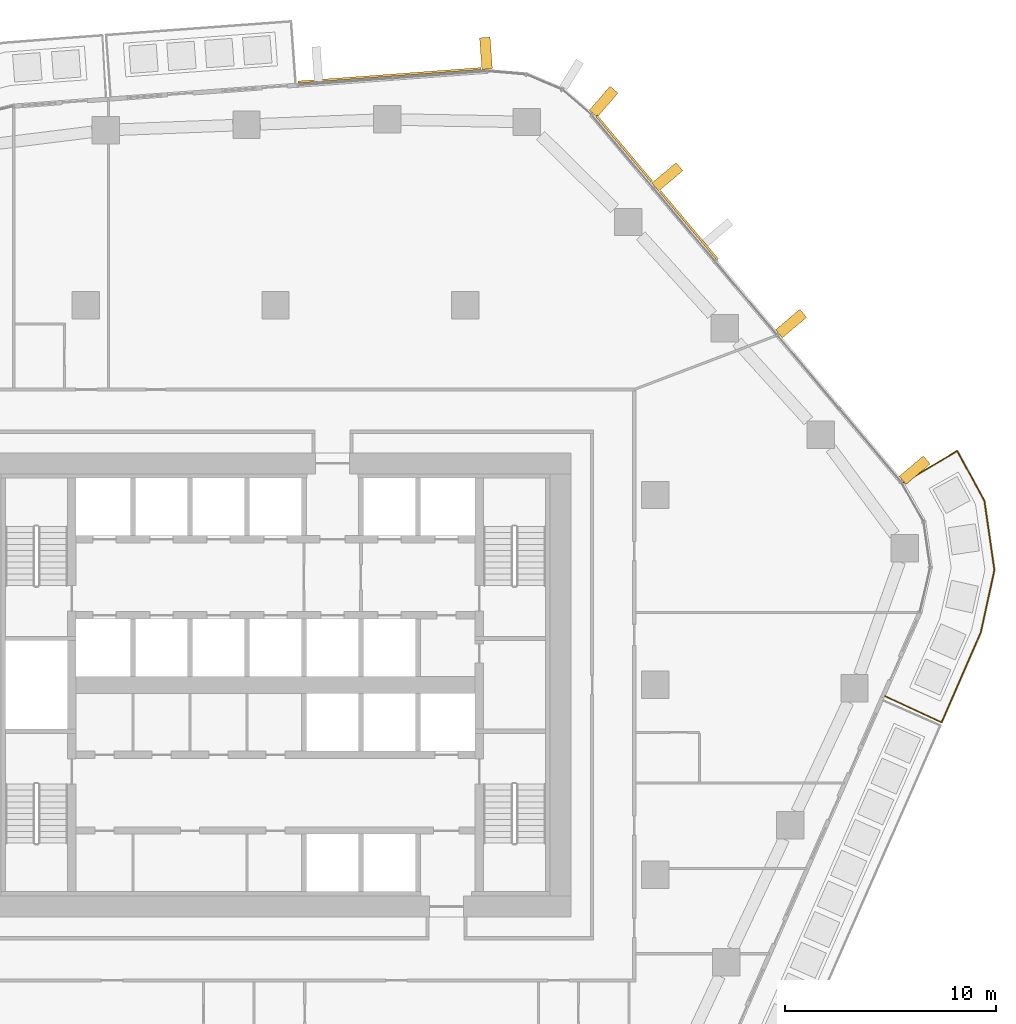
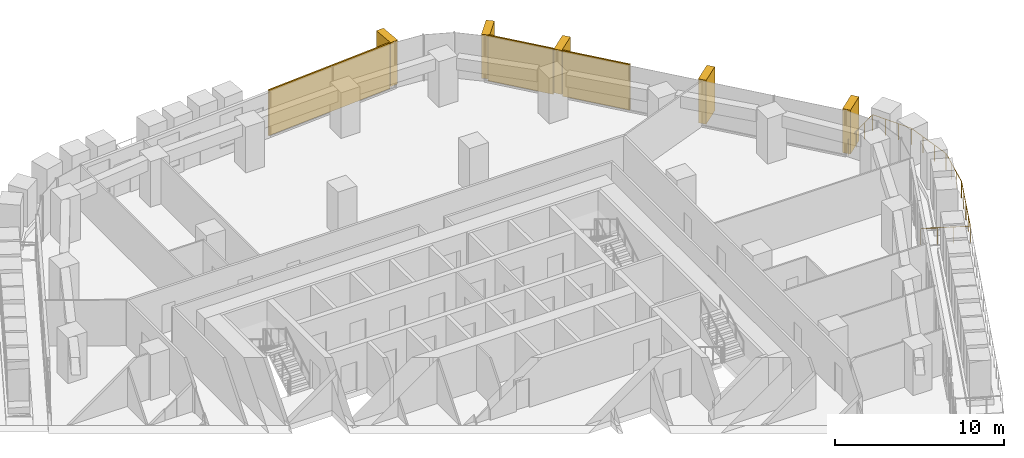
# One storey, part 23 of 23: 8 coverings, 1 railing, 3 elements without a shape of their own.
"""IFC4 building model written with IfcOpenShell, lengths in metres."""

from ifc_helpers import new_model, si_unit, direction, frame, origin, origin_2d, place, context, subcontext, project, spatial, rectangle, circle, extrude, material, layer, layer_set, material_profile, profile_set, type_object, element, aggregate, save


model = new_model("IFC4")

# Units and contexts
model_context = context("Model", 3, precision=1e-05, world=origin(), true_north=direction((0.0, 1.0)))
body_context = subcontext(model_context, "Body", "Model", "MODEL_VIEW")
ifc_project = project(units=[si_unit("LENGTHUNIT", "METRE"), si_unit("AREAUNIT", "SQUARE_METRE"), si_unit("VOLUMEUNIT", "CUBIC_METRE"), si_unit("PLANEANGLEUNIT", "RADIAN"), si_unit("MASSUNIT", "GRAM", prefix="KILO")], contexts=[model_context])

# Site, building, storey
site_placement = place(None, origin())
site = spatial("IfcSite", under=ifc_project, at=site_placement, CompositionType="ELEMENT")
building_placement = place(site_placement, origin())
building = spatial("IfcBuilding", under=site, at=building_placement, Name="Dongbaek Canopy Tower", CompositionType="ELEMENT")
storey_placement = place(building_placement, frame((0.0, 0.0, 132.199951171875)))
storey = spatial("IfcBuildingStorey", under=building, at=storey_placement, Name="L29", CompositionType="ELEMENT", Elevation=132.199951171875)

# Railing
ifc_material_1 = material(Name="Stainless steel", Category="steel")
railing_type = type_object("IfcRailingType", Name="Balcony balustrade 1200", PredefinedType="BALUSTRADE", material=ifc_material_1)
railing_placement = place(storey_placement, frame((28.8955078125, -0.53857421875, 0.0)))
element("IfcRailing", 1, at=railing_placement, inside=storey, type_object=railing_type, Name="Balcony guard L29 5", PredefinedType="BALUSTRADE", context=body_context, shape_type="SweptSolid", body=[
    extrude(circle(Radius=0.02392578125, at=origin_2d()), frame((0.0, 0.0, 1.17578125), z_axis=(0.907160676166, -0.420784395644, 0.0), x_axis=(0.420784395644, 0.907160676166, 0.0)), (0.0, 0.0, 1.0), 2.9404296875),
    extrude(circle(Radius=0.02392578125, at=origin_2d()), frame((2.66748046875, -1.2373046875, 1.17578125), z_axis=(0.399681748589, 0.916653969524, 0.0), x_axis=(-0.916653969524, 0.399681748589, 0.0)), (0.0, 0.0, 1.0), 4.641845703125),
    extrude(circle(Radius=0.02392578125, at=origin_2d()), frame((4.522705078125, 3.017578125, 1.17578125), z_axis=(0.214013832372, 0.976830629922, 0.0), x_axis=(-0.976830629922, 0.214013832372, 0.0)), (0.0, 0.0, 1.0), 3.0322265625),
    extrude(circle(Radius=0.02392578125, at=origin_2d()), frame((5.171630859375, 5.9794921875, 1.17578125), z_axis=(-0.142911676754, 0.989735445787, 0.0), x_axis=(-0.989735445787, -0.142911676754, 0.0)), (0.0, 0.0, 1.0), 3.30224609375),
    extrude(circle(Radius=0.02392578125, at=origin_2d()), frame((4.69970703125, 9.247802734375, 1.17578125), z_axis=(-0.476059650278, 0.879412991363, 0.0), x_axis=(-0.879412991363, -0.476059650278, 0.0)), (0.0, 0.0, 1.0), 2.709716796875),
    extrude(circle(Radius=0.02392578125, at=origin_2d()), frame((3.40966796875, 11.630859375, 1.17578125), z_axis=(-0.86011886379, -0.510093658217, 0.0), x_axis=(0.510093658217, -0.86011886379, 0.0)), (0.0, 0.0, 1.0), 2.940673828125),
    extrude(circle(Radius=0.02099609375, at=origin_2d()), origin(), (0.0, 0.0, 1.0), 1.15185546875),
    extrude(circle(Radius=0.02099609375, at=origin_2d()), frame((0.88916015625, -0.412353515625, 0.0)), (0.0, 0.0, 1.0), 1.15185546875),
    extrude(circle(Radius=0.02099609375, at=origin_2d()), frame((1.7783203125, -0.824951171875, 0.0)), (0.0, 0.0, 1.0), 1.15185546875),
    extrude(circle(Radius=0.02099609375, at=origin_2d()), frame((2.66748046875, -1.2373046875, 0.0)), (0.0, 0.0, 1.0), 1.15185546875),
    extrude(circle(Radius=0.02099609375, at=origin_2d()), frame((3.13134765625, -0.173583984375, 0.0)), (0.0, 0.0, 1.0), 1.15185546875),
    extrude(circle(Radius=0.02099609375, at=origin_2d()), frame((3.59521484375, 0.89013671875, 0.0)), (0.0, 0.0, 1.0), 1.15185546875),
    extrude(circle(Radius=0.02099609375, at=origin_2d()), frame((4.058837890625, 1.953857421875, 0.0)), (0.0, 0.0, 1.0), 1.15185546875),
    extrude(circle(Radius=0.02099609375, at=origin_2d()), frame((4.522705078125, 3.017578125, 0.0)), (0.0, 0.0, 1.0), 1.15185546875),
    extrude(circle(Radius=0.02099609375, at=origin_2d()), frame((4.739013671875, 4.0048828125, 0.0)), (0.0, 0.0, 1.0), 1.15185546875),
    extrude(circle(Radius=0.02099609375, at=origin_2d()), frame((4.955322265625, 4.9921875, 0.0)), (0.0, 0.0, 1.0), 1.15185546875),
    extrude(circle(Radius=0.02099609375, at=origin_2d()), frame((5.171630859375, 5.9794921875, 0.0)), (0.0, 0.0, 1.0), 1.15185546875),
    extrude(circle(Radius=0.02099609375, at=origin_2d()), frame((5.014404296875, 7.06884765625, 0.0)), (0.0, 0.0, 1.0), 1.15185546875),
    extrude(circle(Radius=0.02099609375, at=origin_2d()), frame((4.85693359375, 8.158447265625, 0.0)), (0.0, 0.0, 1.0), 1.15185546875),
    extrude(circle(Radius=0.02099609375, at=origin_2d()), frame((4.69970703125, 9.247802734375, 0.0)), (0.0, 0.0, 1.0), 1.15185546875),
    extrude(circle(Radius=0.02099609375, at=origin_2d()), frame((4.269775390625, 10.042236328125, 0.0)), (0.0, 0.0, 1.0), 1.15185546875),
    extrude(circle(Radius=0.02099609375, at=origin_2d()), frame((3.839599609375, 10.83642578125, 0.0)), (0.0, 0.0, 1.0), 1.15185546875),
    extrude(circle(Radius=0.02099609375, at=origin_2d()), frame((3.40966796875, 11.630859375, 0.0)), (0.0, 0.0, 1.0), 1.15185546875),
    extrude(circle(Radius=0.02099609375, at=origin_2d()), frame((2.566650390625, 11.130859375, 0.0)), (0.0, 0.0, 1.0), 1.15185546875),
    extrude(circle(Radius=0.02099609375, at=origin_2d()), frame((1.723388671875, 10.630859375, 0.0)), (0.0, 0.0, 1.0), 1.15185546875),
    extrude(circle(Radius=0.02099609375, at=origin_2d()), frame((0.88037109375, 10.130859375, 0.0)), (0.0, 0.0, 1.0), 1.15185546875),
])

# Curtain wall, coverings
ifc_material_2 = material(Name="Aluminium 6063-T6 pale anodised", Category="aluminium")
ifc_layer_1 = layer(ifc_material_2, 0.199951171875)
ifc_layer_set_1 = layer_set([ifc_layer_1], Name="CW-1 unitised tower curtain wall")
curtain_wall_type = type_object("IfcCurtainWallType", Name="CW-1 unitised tower curtain wall", PredefinedType="NOTDEFINED", material=ifc_layer_set_1)
curtain_wall_1_placement = place(storey_placement, origin())
curtain_wall_1 = element("IfcCurtainWall", 2, at=curtain_wall_1_placement, inside=storey, type_object=curtain_wall_type, Name="CW-1 curtain wall F0.1", PredefinedType="NOTDEFINED")
ifc_material_3 = material(Name="Perforated aluminium 6063-T6 pale metal screen", Category="aluminium")
ifc_layer_2 = layer(ifc_material_3, 0.10009765625)
ifc_layer_set_2 = layer_set([ifc_layer_2], Name="Facet screen FS1 100 pale metal")
covering_type_1 = type_object("IfcCoveringType", Name="Facet screen FS1 100 pale metal", PredefinedType="CLADDING", material=ifc_layer_set_2)
covering_1_placement = place(storey_placement, frame((19.5869140625, 21.776611328125, 0.0), z_axis=(0.0, 0.0, 1.0), x_axis=(-0.644696181183, 0.764438901396, 0.0)))
covering_1 = element("IfcCovering", 3, at=covering_1_placement, type_object=covering_type_1, Name="Facet screen L29 F0", PredefinedType="CLADDING", context=body_context, shape_type="SweptSolid", body=[
    extrude(rectangle(XDim=4.24169921875, YDim=0.10009765625, at=origin_2d()), origin(), (0.0, 0.0, 1.0), 3.300048828125),
])
covering_2_placement = place(storey_placement, frame((16.52685546875, 25.405029296875, 0.0), z_axis=(0.0, 0.0, 1.0), x_axis=(-0.644696181183, 0.764438901396, 0.0)))
covering_2 = element("IfcCovering", 4, at=covering_2_placement, type_object=covering_type_1, Name="Facet screen L29 F0", PredefinedType="CLADDING", context=body_context, shape_type="SweptSolid", body=[
    extrude(rectangle(XDim=4.091796875, YDim=0.10009765625, at=origin_2d()), origin(), (0.0, 0.0, 1.0), 3.300048828125),
])

# Curtain wall, covering
curtain_wall_2_placement = place(storey_placement, origin())
curtain_wall_2 = element("IfcCurtainWall", 5, at=curtain_wall_2_placement, inside=storey, type_object=curtain_wall_type, Name="CW-1 curtain wall F1.1", PredefinedType="NOTDEFINED")
covering_3_placement = place(storey_placement, frame((5.40478515625, 28.885498046875, 0.0), z_axis=(0.0, 0.0, 1.0), x_axis=(-0.997293858063, -0.073518437616, 0.0)))
covering_3 = element("IfcCovering", 6, at=covering_3_placement, type_object=covering_type_1, Name="Facet screen L29 F1", PredefinedType="CLADDING", context=body_context, shape_type="SweptSolid", body=[
    extrude(rectangle(XDim=8.690185546875, YDim=0.10009765625, at=origin_2d()), origin(), (0.0, 0.0, 1.0), 3.300048828125),
])

# Covering
ifc_material_4 = material(Name="Aluminium 6063-T6 pale metal fin", Category="aluminium")
ifc_material_profile = material_profile(ifc_material_4, rectangle(XDim=1.5, YDim=0.5, at=origin_2d()), Name="Fin FN1 500 x 1500 pale metal")
ifc_profile_set = profile_set([ifc_material_profile], Name="Aluminium 6063-T6 pale metal fin")
covering_type_2 = type_object("IfcCoveringType", Name="Fin FN1 500 x 1500 pale metal", PredefinedType="CLADDING", material=ifc_profile_set)
covering_4_placement = place(storey_placement, frame((30.2890625, 10.1787109375, 0.1201171875), z_axis=(0.0, 0.0, 1.0), x_axis=(0.764439348936, 0.644695650519, 0.0)))
covering_4 = element("IfcCovering", 7, at=covering_4_placement, type_object=covering_type_2, Name="Fin F0.1.1", PredefinedType="CLADDING", context=body_context, shape_type="SweptSolid", body=[
    extrude(rectangle(XDim=1.5, YDim=0.5, at=origin_2d()), origin(), (0.0, 0.0, 1.0), 3.179931640625),
])

covering_5_placement = place(storey_placement, frame((24.432861328125, 17.12255859375, 0.1201171875), z_axis=(0.0, 0.0, 1.0), x_axis=(0.764439348936, 0.644695650519, 0.0)))
covering_5 = element("IfcCovering", 8, at=covering_5_placement, type_object=covering_type_2, Name="Fin F0.1.3", PredefinedType="CLADDING", context=body_context, shape_type="SweptSolid", body=[
    extrude(rectangle(XDim=1.5, YDim=0.5, at=origin_2d()), origin(), (0.0, 0.0, 1.0), 3.179931640625),
])

covering_6_placement = place(storey_placement, frame((18.57080078125, 24.073486328125, 0.1201171875), z_axis=(0.0, 0.0, 1.0), x_axis=(0.764439348936, 0.644695650519, 0.0)))
covering_6 = element("IfcCovering", 9, at=covering_6_placement, type_object=covering_type_2, Name="Fin F0.1.5", PredefinedType="CLADDING", context=body_context, shape_type="SweptSolid", body=[
    extrude(rectangle(XDim=1.5, YDim=0.5, at=origin_2d()), origin(), (0.0, 0.0, 1.0), 3.179931640625),
])

aggregate(curtain_wall_1, [covering_4, covering_5, covering_6, covering_1, covering_2])

# Curtain wall, covering
curtain_wall_3_placement = place(storey_placement, origin())
curtain_wall_3 = element("IfcCurtainWall", 10, at=curtain_wall_3_placement, inside=storey, type_object=curtain_wall_type, Name="CW-1 curtain wall K1.1", PredefinedType="NOTDEFINED")
covering_7_placement = place(storey_placement, frame((15.551025390625, 27.637939453125, 0.1201171875), z_axis=(0.0, 0.0, 1.0), x_axis=(0.654013971829, 0.756482468173, 0.0)))
covering_7 = element("IfcCovering", 11, at=covering_7_placement, type_object=covering_type_2, Name="Fin K1.1.1", PredefinedType="CLADDING", context=body_context, shape_type="SweptSolid", body=[
    extrude(rectangle(XDim=1.5, YDim=0.5, at=origin_2d()), origin(), (0.0, 0.0, 1.0), 3.179931640625),
])
aggregate(curtain_wall_3, [covering_7])

# Covering
covering_8_placement = place(storey_placement, frame((9.9755859375, 29.92822265625, 0.1201171875), z_axis=(0.0, 0.0, 1.0), x_axis=(-0.073519152761, 0.997293805344, 0.0)))
covering_8 = element("IfcCovering", 12, at=covering_8_placement, type_object=covering_type_2, Name="Fin F1.1.1", PredefinedType="CLADDING", context=body_context, shape_type="SweptSolid", body=[
    extrude(rectangle(XDim=1.5, YDim=0.5, at=origin_2d()), origin(), (0.0, 0.0, 1.0), 3.179931640625),
])

aggregate(curtain_wall_2, [covering_8, covering_3])

save(model, "model.ifc")
